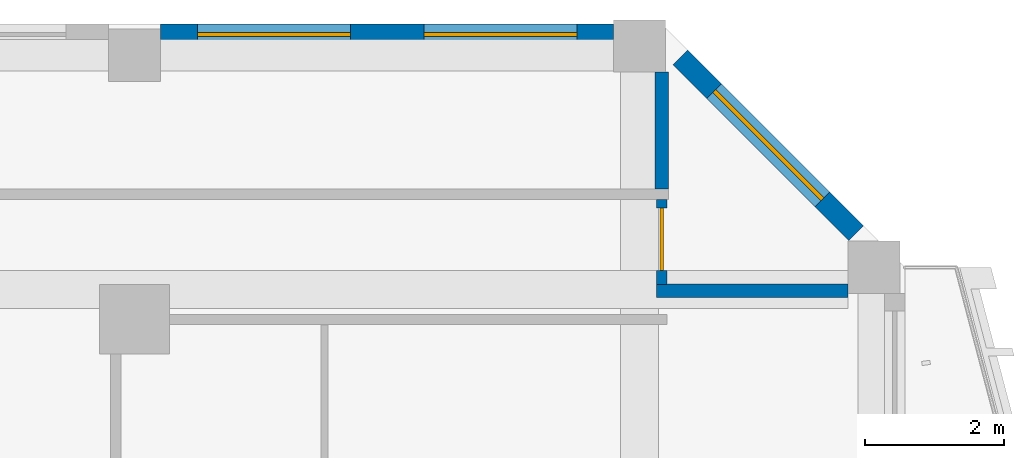
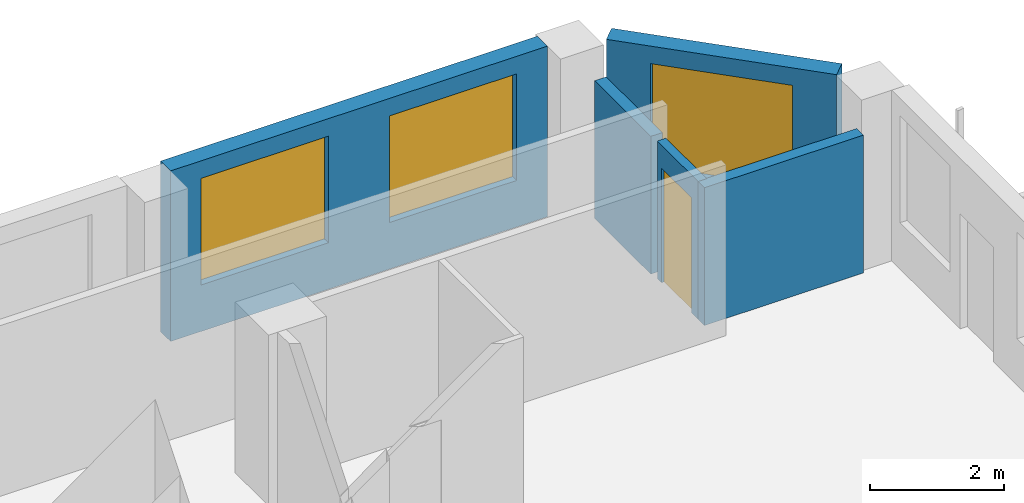
# One storey, part 10 of 21: 5 walls, 3 windows, 1 door, 4 openings.
"""IFC4 building model written with IfcOpenShell, lengths in metres."""

from ifc_helpers import new_model, si_unit, direction, frame, frame_2d, origin, place, context, subcontext, project, spatial, rectangle, extrude, source, transform, mapped, material, layer, layer_set, type_object, element, fill, save


model = new_model("IFC4")

# Units and contexts
model_context = context("Model", 3, precision=1e-05, world=origin(), true_north=direction((0.0, 1.0)))
body_context = subcontext(model_context, "Body", "Model", "MODEL_VIEW")
ifc_project = project(units=[si_unit("LENGTHUNIT", "METRE"), si_unit("AREAUNIT", "SQUARE_METRE"), si_unit("VOLUMEUNIT", "CUBIC_METRE"), si_unit("PLANEANGLEUNIT", "RADIAN"), si_unit("MASSUNIT", "GRAM", prefix="KILO")], contexts=[model_context])

# Site, building, storey
site_placement = place(None, origin())
site = spatial("IfcSite", under=ifc_project, at=site_placement, CompositionType="ELEMENT")
building_placement = place(site_placement, origin())
building = spatial("IfcBuilding", under=site, at=building_placement, Name="Kilnfold Tower and Market Hall", CompositionType="ELEMENT")
storey_placement = place(building_placement, frame((0.0, 0.0, 216.89990234375)))
storey = spatial("IfcBuildingStorey", under=building, at=storey_placement, Name="L53", CompositionType="ELEMENT", Elevation=216.89990234375)

# Wall, opening, door
ifc_material_1 = material(Name="Gypsum board on steel studs", Category="steel")
ifc_layer_1 = layer(ifc_material_1, 0.14990234375)
ifc_layer_set_1 = layer_set([ifc_layer_1], Name="Gypsum board on steel studs")
wall_type_1 = type_object("IfcWallType", Name="WALL CORRIDOR 150", PredefinedType="PARTITIONING", material=ifc_layer_set_1)
wall_1_placement = place(storey_placement, frame((27.75, 22.5029296875, 0.0), z_axis=(0.0, 0.0, 1.0), x_axis=(0.0, 1.0, 0.0)))
wall_1 = element("IfcWall", 1, at=wall_1_placement, inside=storey, type_object=wall_type_1, Name="Partition LY31.24", PredefinedType="PARTITIONING", context=body_context, shape_type="SweptSolid", body=[
    extrude(rectangle(XDim=1.22216796875, YDim=0.14990234375, at=frame_2d((0.611083984375, 0.0))), origin(), (0.0, 0.0, 1.0), 2.52001953125),
])
opening_1_placement = place(wall_1_placement, frame((0.201904296875, 0.0, 0.0)))
opening_1 = element("IfcOpeningElement", 2, at=opening_1_placement, cuts=wall_1, Name="Opening D2", PredefinedType="OPENING", context=body_context, shape_type="SweptSolid", body=[
    extrude(rectangle(XDim=0.89990234375, YDim=2.10009765625, at=frame_2d((0.449951171875, 1.050048828125))), frame((0.0, 0.0849609375, 0.0), z_axis=(0.0, -1.0, 0.0), x_axis=(1.0, 0.0, 0.0)), (0.0, 0.0, 1.0), 0.169921875),
])
ifc_material_2 = material(Name="Timber veneer door leaf in steel frame", Category="steel")
door_type = type_object("IfcDoorType", Name="DOOR ROOM 900 X2100", OperationType="NOTDEFINED", PredefinedType="DOOR", material=ifc_material_2)
door_placement = place(opening_1_placement, origin())
door = element("IfcDoor", 3, at=door_placement, inside=storey, type_object=door_type, Name="Door D2", OperationType="SINGLE_SWING_RIGHT", OverallHeight=2.10009765625, OverallWidth=0.89990234375, PredefinedType="DOOR", context=body_context, shape_type="SweptSolid", body=[
    extrude(rectangle(XDim=0.89990234375, YDim=2.10009765625, at=frame_2d((0.449951171875, 1.050048828125))), frame((0.0, 0.02490234375, 0.0), z_axis=(0.0, -1.0, 0.0), x_axis=(1.0, 0.0, 0.0)), (0.0, 0.0, 1.0), 0.050048828125),
])
fill(opening_1, door)

# Walls
ifc_material_3 = material(Name="Gypsum board on steel studs", Category="steel")
ifc_layer_2 = layer(ifc_material_3, 0.199951171875)
ifc_layer_set_2 = layer_set([ifc_layer_2], Name="Gypsum board on steel studs")
wall_type_2 = type_object("IfcWallType", Name="WALL PARTY 200", PredefinedType="PARTITIONING", material=ifc_layer_set_2)
wall_2_placement = place(storey_placement, frame((30.425048828125, 22.4130859375, 0.0), z_axis=(0.0, 0.0, 1.0), x_axis=(-1.0, 0.0, 0.0)))
element("IfcWall", 4, at=wall_2_placement, inside=storey, type_object=wall_type_2, Name="Partition LY31.91", PredefinedType="PARTITIONING", context=body_context, shape_type="SweptSolid", body=[
    extrude(rectangle(XDim=2.748046875, YDim=0.199951171875, at=frame_2d((1.3740234375, 0.0))), origin(), (0.0, 0.0, 1.0), 2.52001953125),
])
wall_3_placement = place(storey_placement, frame((27.75, 25.556884765625, 0.0), z_axis=(0.0, 0.0, 1.0), x_axis=(0.0, -1.0, 0.0)))
element("IfcWall", 5, at=wall_3_placement, inside=storey, type_object=wall_type_2, Name="Partition LY31.92", PredefinedType="PARTITIONING", context=body_context, shape_type="SweptSolid", body=[
    extrude(rectangle(XDim=1.679931640625, YDim=0.199951171875, at=frame_2d((0.83984375, 0.0))), origin(), (0.0, 0.0, 1.0), 2.52001953125),
])

# Wall, opening, window
ifc_material_4 = material(Name="Precast concrete C50/60", Category="concrete")
ifc_layer_3 = layer(ifc_material_4, 0.300048828125)
ifc_layer_set_3 = layer_set([ifc_layer_3], Name="Precast concrete C50/60")
wall_type_3 = type_object("IfcWallType", Name="PRECAST WALL 300", PredefinedType="SOLIDWALL", material=ifc_layer_set_3)
shared_shape_1 = source(origin(), body_context, "Body", "SweptSolid", [
    extrude(rectangle(XDim=3.571044921875, YDim=0.300048828125, at=frame_2d((1.78564453125, 0.0))), origin(), (0.0, 0.0, 1.0), 3.1201171875),
])
wall_4_placement = place(storey_placement, frame((30.5439453125, 23.243896484375, 0.0), z_axis=(0.0, 0.0, 1.0), x_axis=(-0.707140964879, 0.707072595841, 0.0)))
wall_4 = element("IfcWall", 6, at=wall_4_placement, inside=storey, type_object=wall_type_3, Name="External wall L53 NE", PredefinedType="SOLIDWALL", context=body_context, shape_type="MappedRepresentation", body=[
    mapped(shared_shape_1, transform((0.0, 0.0, 0.0))),
])
opening_2_placement = place(wall_4_placement, frame((0.685546875, 0.0, 0.85009765625)))
opening_2 = element("IfcOpeningElement", 7, at=opening_2_placement, cuts=wall_4, Name="Opening W2", PredefinedType="OPENING", context=body_context, shape_type="SweptSolid", body=[
    extrude(rectangle(XDim=2.199951171875, YDim=1.949951171875, at=frame_2d((1.10009765625, 0.97509765625))), frame((0.0, 0.16015625, 0.0), z_axis=(0.0, -1.0, 0.0), x_axis=(1.0, 0.0, 0.0)), (0.0, 0.0, 1.0), 0.320068359375),
])
ifc_material_5 = material(Name="Aluminium frame and double glazing", Category="aluminium")
window_type = type_object("IfcWindowType", Name="WINDOW W2 2200X1950", PartitioningType="SINGLE_PANEL", PredefinedType="WINDOW", material=ifc_material_5)
window_1_placement = place(opening_2_placement, origin())
window_1 = element("IfcWindow", 8, at=window_1_placement, inside=storey, type_object=window_type, Name="Window W2 L53 NE-1", OverallHeight=1.949951171875, OverallWidth=2.199951171875, PartitioningType="SINGLE_PANEL", PredefinedType="WINDOW", context=body_context, shape_type="SweptSolid", body=[
    extrude(rectangle(XDim=2.199951171875, YDim=1.949951171875, at=frame_2d((1.10009765625, 0.97509765625))), frame((0.0, 0.030029296875, 0.0), z_axis=(0.0, -1.0, 0.0), x_axis=(1.0, 0.0, 0.0)), (0.0, 0.0, 1.0), 0.06005859375),
])
fill(opening_2, window_1)

# Wall, openings, windows
shared_shape_2 = source(origin(), body_context, "Body", "SweptSolid", [
    extrude(rectangle(XDim=6.51513671875, YDim=0.300048828125, at=frame_2d((3.257568359375, 0.0))), origin(), (0.0, 0.0, 1.0), 3.1201171875),
])
wall_5_placement = place(storey_placement, frame((27.056884765625, 26.10009765625, 0.0), z_axis=(0.0, 0.0, 1.0), x_axis=(-1.0, 0.0, 0.0)))
wall_5 = element("IfcWall", 9, at=wall_5_placement, inside=storey, type_object=wall_type_3, Name="External wall L53 N", PredefinedType="SOLIDWALL", context=body_context, shape_type="MappedRepresentation", body=[
    mapped(shared_shape_2, transform((0.0, 0.0, 0.0))),
])
opening_3_placement = place(wall_5_placement, frame((0.52880859375, 0.0, 0.85009765625)))
opening_3 = element("IfcOpeningElement", 10, at=opening_3_placement, cuts=wall_5, Name="Opening W2", PredefinedType="OPENING", context=body_context, shape_type="SweptSolid", body=[
    extrude(rectangle(XDim=2.199951171875, YDim=1.949951171875, at=frame_2d((1.10009765625, 0.97509765625))), frame((0.0, 0.16015625, 0.0), z_axis=(0.0, -1.0, 0.0), x_axis=(1.0, 0.0, 0.0)), (0.0, 0.0, 1.0), 0.320068359375),
])
opening_4_placement = place(wall_5_placement, frame((3.786376953125, 0.0, 0.85009765625)))
opening_4 = element("IfcOpeningElement", 11, at=opening_4_placement, cuts=wall_5, Name="Opening W2", PredefinedType="OPENING", context=body_context, shape_type="SweptSolid", body=[
    extrude(rectangle(XDim=2.199951171875, YDim=1.949951171875, at=frame_2d((1.10009765625, 0.97509765625))), frame((0.0, 0.16015625, 0.0), z_axis=(0.0, -1.0, 0.0), x_axis=(1.0, 0.0, 0.0)), (0.0, 0.0, 1.0), 0.320068359375),
])
window_2_placement = place(opening_3_placement, origin())
window_2 = element("IfcWindow", 12, at=window_2_placement, inside=storey, type_object=window_type, Name="Window W2 L53 N-1", OverallHeight=1.949951171875, OverallWidth=2.199951171875, PartitioningType="SINGLE_PANEL", PredefinedType="WINDOW", context=body_context, shape_type="SweptSolid", body=[
    extrude(rectangle(XDim=2.199951171875, YDim=1.949951171875, at=frame_2d((1.10009765625, 0.97509765625))), frame((0.0, 0.030029296875, 0.0), z_axis=(0.0, -1.0, 0.0), x_axis=(1.0, 0.0, 0.0)), (0.0, 0.0, 1.0), 0.06005859375),
])
fill(opening_3, window_2)
window_3_placement = place(opening_4_placement, origin())
window_3 = element("IfcWindow", 13, at=window_3_placement, inside=storey, type_object=window_type, Name="Window W2 L53 N-2", OverallHeight=1.949951171875, OverallWidth=2.199951171875, PartitioningType="SINGLE_PANEL", PredefinedType="WINDOW", context=body_context, shape_type="SweptSolid", body=[
    extrude(rectangle(XDim=2.199951171875, YDim=1.949951171875, at=frame_2d((1.10009765625, 0.97509765625))), frame((0.0, 0.030029296875, 0.0), z_axis=(0.0, -1.0, 0.0), x_axis=(1.0, 0.0, 0.0)), (0.0, 0.0, 1.0), 0.06005859375),
])
fill(opening_4, window_3)

save(model, "model.ifc")
